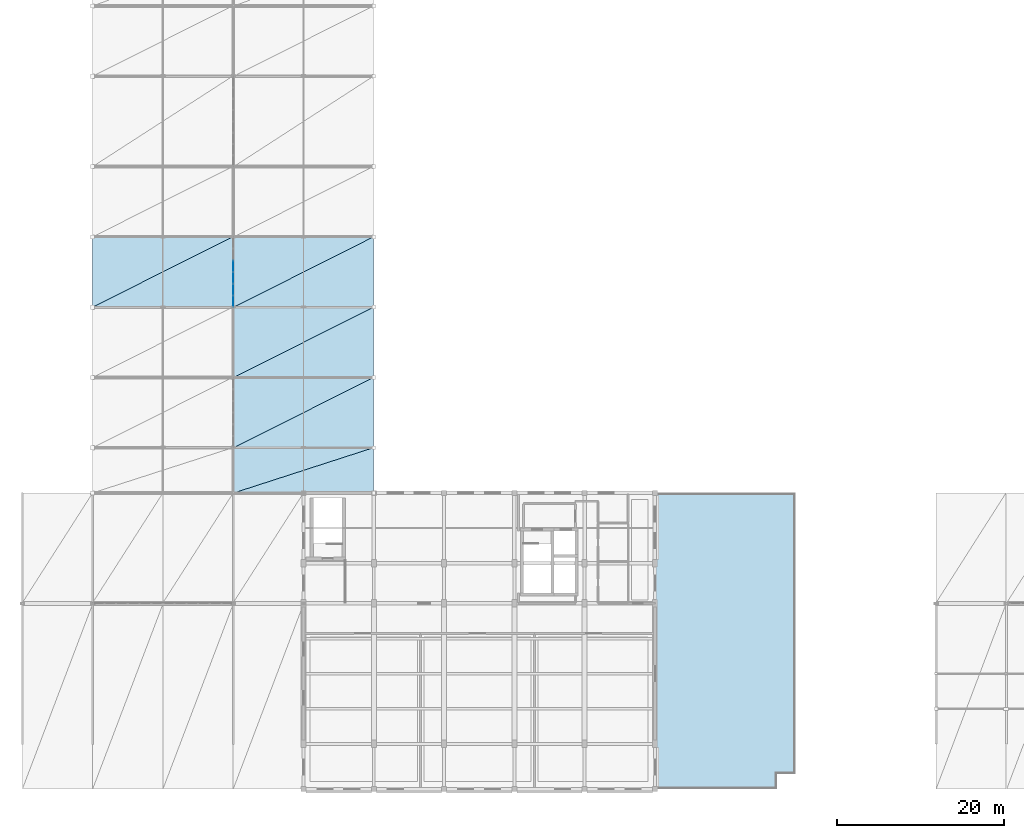
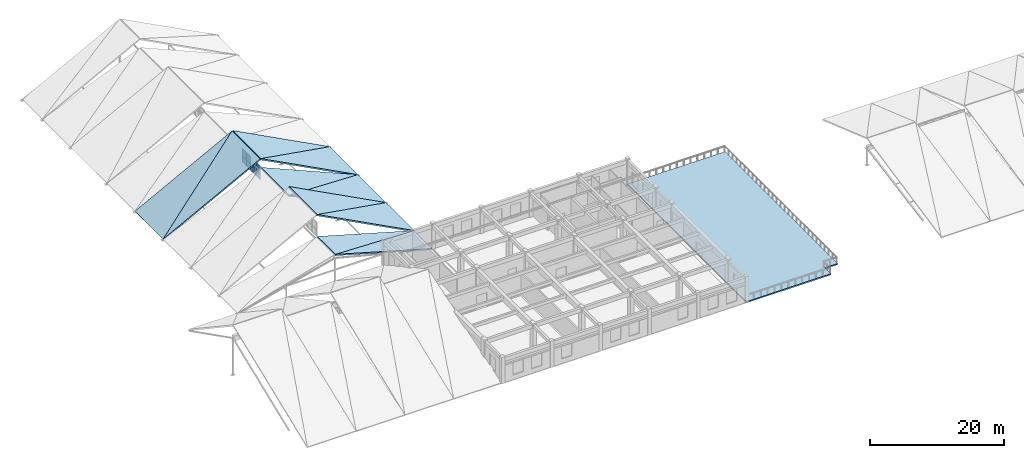
# One storey, part 55 of 76: 11 slabs, 8 plates, 1 element without a shape of its own.
"""IFC4 building model written with IfcOpenShell, lengths in metres."""

from ifc_helpers import new_model, si_unit, direction, frame, origin, origin_2d, place, context, subcontext, project, spatial, polyline, rectangle, outline, extrude, material, layer, layer_set, type_object, element, aggregate, save


model = new_model("IFC4")

# Units and contexts
model_context = context("Model", 3, precision=1e-05, world=origin(), true_north=direction((0.0, 1.0)))
body_context = subcontext(model_context, "Body", "Model", "MODEL_VIEW")
ifc_project = project(units=[si_unit("LENGTHUNIT", "METRE"), si_unit("AREAUNIT", "SQUARE_METRE"), si_unit("VOLUMEUNIT", "CUBIC_METRE"), si_unit("PLANEANGLEUNIT", "RADIAN"), si_unit("MASSUNIT", "GRAM", prefix="KILO")], contexts=[model_context])

# Site, building, storey
site_placement = place(None, origin())
site = spatial("IfcSite", under=ifc_project, at=site_placement, CompositionType="ELEMENT")
building_placement = place(site_placement, origin())
building = spatial("IfcBuilding", under=site, at=building_placement, Name="Krzemoval Escarpment Law Courts", CompositionType="ELEMENT")
storey_placement = place(building_placement, frame((0.0, 0.0, 20.39990234375)))
storey = spatial("IfcBuildingStorey", under=building, at=storey_placement, Name="L04", CompositionType="ELEMENT", Elevation=20.39990234375)

# Curtain wall, plates
ifc_material_1 = material(Name="Aluminium 6063-T6", Category="aluminium")
ifc_layer_1 = layer(ifc_material_1, 0.199951171875)
ifc_layer_set_1 = layer_set([ifc_layer_1], Name="Aluminium 6063-T6")
curtain_wall_type = type_object("IfcCurtainWallType", Name="CW-CLER-2800", PredefinedType="USERDEFINED", material=ifc_layer_set_1)
curtain_wall_placement = place(storey_placement, origin())
curtain_wall = element("IfcCurtainWall", 1, at=curtain_wall_placement, inside=storey, type_object=curtain_wall_type, Name="Clerestory Curtain Wall CW-CLER-V4-02", ObjectType="UNITISED_CURTAIN_WALL", PredefinedType="USERDEFINED")
ifc_material_2 = material(Name="Triple Glazing IGU", Category="glass")
ifc_layer_2 = layer(ifc_material_2, 0.0419921875)
ifc_layer_set_2 = layer_set([ifc_layer_2], Name="Triple Glazing IGU")
plate_type = type_object("IfcPlateType", Name="CWP-GLZ-42", PredefinedType="CURTAIN_PANEL", material=ifc_layer_set_2)
plate_1_placement = place(storey_placement, frame((25.199951171875, 58.316162109375, 4.864990234375), z_axis=(0.0, 0.0, 1.0), x_axis=(0.0, 1.0, 0.0)))
plate_1 = element("IfcPlate", 2, at=plate_1_placement, type_object=plate_type, Name="CW-CLER-V4-02 panel 1.1", PredefinedType="CURTAIN_PANEL", context=body_context, shape_type="SweptSolid", body=[
    extrude(rectangle(XDim=1.302490234375, YDim=0.0419921875, at=origin_2d()), origin(), (0.0, 0.0, 1.0), 1.1025390625),
])
plate_2_placement = place(storey_placement, frame((25.199951171875, 58.316162109375, 6.03271484375), z_axis=(0.0, 0.0, 1.0), x_axis=(0.0, 1.0, 0.0)))
plate_2 = element("IfcPlate", 3, at=plate_2_placement, type_object=plate_type, Name="CW-CLER-V4-02 panel 1.2", PredefinedType="CURTAIN_PANEL", context=body_context, shape_type="SweptSolid", body=[
    extrude(rectangle(XDim=1.302490234375, YDim=0.0419921875, at=origin_2d()), origin(), (0.0, 0.0, 1.0), 1.302490234375),
])
plate_3_placement = place(storey_placement, frame((25.199951171875, 59.699951171875, 4.864990234375), z_axis=(0.0, 0.0, 1.0), x_axis=(0.0, 1.0, 0.0)))
plate_3 = element("IfcPlate", 4, at=plate_3_placement, type_object=plate_type, Name="CW-CLER-V4-02 panel 2.1", PredefinedType="CURTAIN_PANEL", context=body_context, shape_type="SweptSolid", body=[
    extrude(rectangle(XDim=1.3349609375, YDim=0.0419921875, at=origin_2d()), origin(), (0.0, 0.0, 1.0), 1.1025390625),
])
plate_4_placement = place(storey_placement, frame((25.199951171875, 59.699951171875, 6.03271484375), z_axis=(0.0, 0.0, 1.0), x_axis=(0.0, 1.0, 0.0)))
plate_4 = element("IfcPlate", 5, at=plate_4_placement, type_object=plate_type, Name="CW-CLER-V4-02 panel 2.2", PredefinedType="CURTAIN_PANEL", context=body_context, shape_type="SweptSolid", body=[
    extrude(rectangle(XDim=1.3349609375, YDim=0.0419921875, at=origin_2d()), origin(), (0.0, 0.0, 1.0), 1.302490234375),
])
plate_5_placement = place(storey_placement, frame((25.199951171875, 61.10009765625, 4.864990234375), z_axis=(0.0, 0.0, 1.0), x_axis=(0.0, 1.0, 0.0)))
plate_5 = element("IfcPlate", 6, at=plate_5_placement, type_object=plate_type, Name="CW-CLER-V4-02 panel 3.1", PredefinedType="CURTAIN_PANEL", context=body_context, shape_type="SweptSolid", body=[
    extrude(rectangle(XDim=1.3349609375, YDim=0.0419921875, at=origin_2d()), origin(), (0.0, 0.0, 1.0), 1.1025390625),
])
plate_6_placement = place(storey_placement, frame((25.199951171875, 61.10009765625, 6.03271484375), z_axis=(0.0, 0.0, 1.0), x_axis=(0.0, 1.0, 0.0)))
plate_6 = element("IfcPlate", 7, at=plate_6_placement, type_object=plate_type, Name="CW-CLER-V4-02 panel 3.2", PredefinedType="CURTAIN_PANEL", context=body_context, shape_type="SweptSolid", body=[
    extrude(rectangle(XDim=1.3349609375, YDim=0.0419921875, at=origin_2d()), origin(), (0.0, 0.0, 1.0), 1.302490234375),
])
plate_7_placement = place(storey_placement, frame((25.199951171875, 62.5, 4.864990234375), z_axis=(0.0, 0.0, 1.0), x_axis=(0.0, 1.0, 0.0)))
plate_7 = element("IfcPlate", 8, at=plate_7_placement, type_object=plate_type, Name="CW-CLER-V4-02 panel 4.1", PredefinedType="CURTAIN_PANEL", context=body_context, shape_type="SweptSolid", body=[
    extrude(rectangle(XDim=1.3349609375, YDim=0.0419921875, at=origin_2d()), origin(), (0.0, 0.0, 1.0), 1.1025390625),
])
plate_8_placement = place(storey_placement, frame((25.199951171875, 62.5, 6.03271484375), z_axis=(0.0, 0.0, 1.0), x_axis=(0.0, 1.0, 0.0)))
plate_8 = element("IfcPlate", 9, at=plate_8_placement, type_object=plate_type, Name="CW-CLER-V4-02 panel 4.2", PredefinedType="CURTAIN_PANEL", context=body_context, shape_type="SweptSolid", body=[
    extrude(rectangle(XDim=1.3349609375, YDim=0.0419921875, at=origin_2d()), origin(), (0.0, 0.0, 1.0), 1.302490234375),
])
aggregate(curtain_wall, [plate_1, plate_2, plate_3, plate_4, plate_5, plate_6, plate_7, plate_8])

# Slabs
ifc_material_3 = material(Name="Concrete C50/60", Category="concrete")
ifc_layer_3 = layer(ifc_material_3, 0.239990234375)
ifc_layer_set_3 = layer_set([ifc_layer_3], Name="Concrete C50/60")
slab_type_1 = type_object("IfcSlabType", Name="SL-ROOF-FP240", PredefinedType="ROOF", material=ifc_layer_set_3)
slab_1_placement = place(storey_placement, frame((25.277099609375, 35.39990234375, 4.778076171875), z_axis=(0.275336107383, 0.0, 0.961348026456), x_axis=(0.961348026456, 0.0, -0.275336107383)))
element("IfcSlab", 10, at=slab_1_placement, inside=storey, type_object=slab_type_1, Name="Folded-Plate Roof Facet FPR-V4-01EA", PredefinedType="ROOF", context=body_context, shape_type="SweptSolid", body=[
    extrude(outline(polyline([(0.0, 0.0), (17.353612707378492, 0.0), (17.353612707378492, 5.400146484375), (0.0, 0.0)])), origin(), (0.0, 0.0, -1.0), 0.239990234375),
])
slab_2_placement = place(storey_placement, frame((25.277099609375, 35.39990234375, 4.778076171875), z_axis=(0.275336107383, 0.0, 0.961348026456), x_axis=(0.917930999016, 0.297128997223, -0.262901198275)))
element("IfcSlab", 11, at=slab_2_placement, inside=storey, type_object=slab_type_1, Name="Folded-Plate Roof Facet FPR-V4-01EB", PredefinedType="ROOF", context=body_context, shape_type="SweptSolid", body=[
    extrude(outline(polyline([(0.0, 0.0), (18.174417626168825, -1.1657341758564144e-15), (1.604540109759487, 5.156261541939149), (0.0, 0.0)])), origin(), (0.0, 0.0, -1.0), 0.239990234375),
])
slab_3_placement = place(storey_placement, frame((25.27099609375, 40.800048828125, 8.76318359375), z_axis=(0.464895325772, 0.0, 0.885365651059), x_axis=(0.885365651059, 0.0, -0.464895325772)))
element("IfcSlab", 12, at=slab_3_placement, inside=storey, type_object=slab_type_1, Name="Folded-Plate Roof Facet FPR-V4-02EA", PredefinedType="ROOF", context=body_context, shape_type="SweptSolid", body=[
    extrude(outline(polyline([(0.0, 0.0), (18.849799316005797, 0.0), (18.849799316005797, 8.39990234375), (0.0, 0.0)])), origin(), (0.0, 0.0, -1.0), 0.239990234375),
])
slab_4_placement = place(storey_placement, frame((25.27099609375, 40.800048828125, 8.76318359375), z_axis=(0.464895325772, 0.0, 0.885365651059), x_axis=(0.808703265101, 0.407037135947, -0.424640788167)))
element("IfcSlab", 13, at=slab_4_placement, inside=storey, type_object=slab_type_1, Name="Folded-Plate Roof Facet FPR-V4-02EB", PredefinedType="ROOF", context=body_context, shape_type="SweptSolid", body=[
    extrude(outline(polyline([(0.0, 0.0), (20.63669774063257, 4.440892098500626e-16), (3.419072192234083, 7.672568326761801), (0.0, 0.0)])), origin(), (0.0, 0.0, -1.0), 0.239990234375),
])
slab_5_placement = place(storey_placement, frame((25.27392578125, 49.199951171875, 7.168212890625), z_axis=(0.394712545975, 0.0, 0.91880466153), x_axis=(0.91880466153, 0.0, -0.394712545975)))
element("IfcSlab", 14, at=slab_5_placement, inside=storey, type_object=slab_type_1, Name="Folded-Plate Roof Facet FPR-V4-03EA", PredefinedType="ROOF", context=body_context, shape_type="SweptSolid", body=[
    extrude(outline(polyline([(0.0, 0.0), (18.160590444171504, 0.0), (18.160590444171504, 8.400146484374998), (0.0, 0.0)])), origin(), (0.0, 0.0, -1.0), 0.239990234375),
])
slab_6_placement = place(storey_placement, frame((25.27392578125, 49.199951171875, 7.168212890625), z_axis=(0.394712545975, 0.0, 0.91880466153), x_axis=(0.833916674955, 0.41981346436, -0.358245215424)))
element("IfcSlab", 15, at=slab_6_placement, inside=storey, type_object=slab_type_1, Name="Folded-Plate Roof Facet FPR-V4-03EB", PredefinedType="ROOF", context=body_context, shape_type="SweptSolid", body=[
    extrude(outline(polyline([(0.0, 0.0), (20.00923552362486, 1.1102230246251565e-15), (3.526494596739827, 7.624060389196985), (0.0, 0.0)])), origin(), (0.0, 0.0, -1.0), 0.239990234375),
])
slab_7_placement = place(storey_placement, frame((8.39990234375, 57.60009765625, 0.0), z_axis=(-0.464022452486, 0.0, 0.885823438157), x_axis=(0.885823438157, 0.0, 0.464022452486)))
element("IfcSlab", 16, at=slab_7_placement, inside=storey, type_object=slab_type_1, Name="Folded-Plate Roof Facet FPR-V4-04WA", PredefinedType="ROOF", context=body_context, shape_type="SweptSolid", body=[
    extrude(outline(polyline([(0.0, 0.0), (18.88525769993878, 0.0), (18.88525769993878, 8.39990234375), (0.0, 0.0)])), origin(), (0.0, 0.0, -1.0), 0.239990234375),
])
slab_8_placement = place(storey_placement, frame((8.39990234375, 57.60009765625, 0.0), z_axis=(-0.464022452486, 0.0, 0.885823438157), x_axis=(0.809372991, 0.406399216724, 0.423975280041)))
element("IfcSlab", 17, at=slab_8_placement, inside=storey, type_object=slab_type_1, Name="Folded-Plate Roof Facet FPR-V4-04WB", PredefinedType="ROOF", context=body_context, shape_type="SweptSolid", body=[
    extrude(outline(polyline([(0.0, 0.0), (20.669090879321075, -6.661338147750939e-16), (3.4137137330567677, 7.674953936883032), (0.0, 0.0)])), origin(), (0.0, 0.0, -1.0), 0.239990234375),
])
slab_9_placement = place(storey_placement, frame((25.27099609375, 57.60009765625, 8.76318359375), z_axis=(0.464895325772, 0.0, 0.885365651059), x_axis=(0.885365651059, 0.0, -0.464895325772)))
element("IfcSlab", 18, at=slab_9_placement, inside=storey, type_object=slab_type_1, Name="Folded-Plate Roof Facet FPR-V4-04EA", PredefinedType="ROOF", context=body_context, shape_type="SweptSolid", body=[
    extrude(outline(polyline([(0.0, 0.0), (18.849799316005797, 0.0), (18.849799316005797, 8.39990234375), (0.0, 0.0)])), origin(), (0.0, 0.0, -1.0), 0.239990234375),
])
slab_10_placement = place(storey_placement, frame((25.27099609375, 57.60009765625, 8.76318359375), z_axis=(0.464895325772, 0.0, 0.885365651059), x_axis=(0.808703265101, 0.407037135947, -0.424640788167)))
element("IfcSlab", 19, at=slab_10_placement, inside=storey, type_object=slab_type_1, Name="Folded-Plate Roof Facet FPR-V4-04EB", PredefinedType="ROOF", context=body_context, shape_type="SweptSolid", body=[
    extrude(outline(polyline([(0.0, 0.0), (20.63669774063257, 4.440892098500626e-16), (3.419072192234083, 7.672568326761801), (0.0, 0.0)])), origin(), (0.0, 0.0, -1.0), 0.239990234375),
])
ifc_material_4 = material(Name="Concrete C40/50", Category="concrete")
ifc_layer_4 = layer(ifc_material_4, 0.22998046875)
ifc_layer_set_4 = layer_set([ifc_layer_4], Name="Concrete C40/50")
slab_type_2 = type_object("IfcSlabType", Name="SL-TER-320", PredefinedType="ROOF", material=ifc_layer_set_4)
slab_11_placement = place(storey_placement, frame((0.0, 0.0, -0.22998046875)))
element("IfcSlab", 20, at=slab_11_placement, inside=storey, type_object=slab_type_2, Name="Planted Courtroom Roof Terrace", PredefinedType="ROOF", context=body_context, shape_type="SweptSolid", body=[
    extrude(outline(polyline([(75.60009765625, 35.39990234375), (92.39990234375, 35.39990234375), (92.39990234375, 1.800048828125), (90.199951171875, 1.800048828125), (90.199951171875, 0.0), (75.60009765625, 0.0), (75.60009765625, 35.39990234375)])), origin(), (0.0, 0.0, 1.0), 0.22998046875),
])

save(model, "model.ifc")
